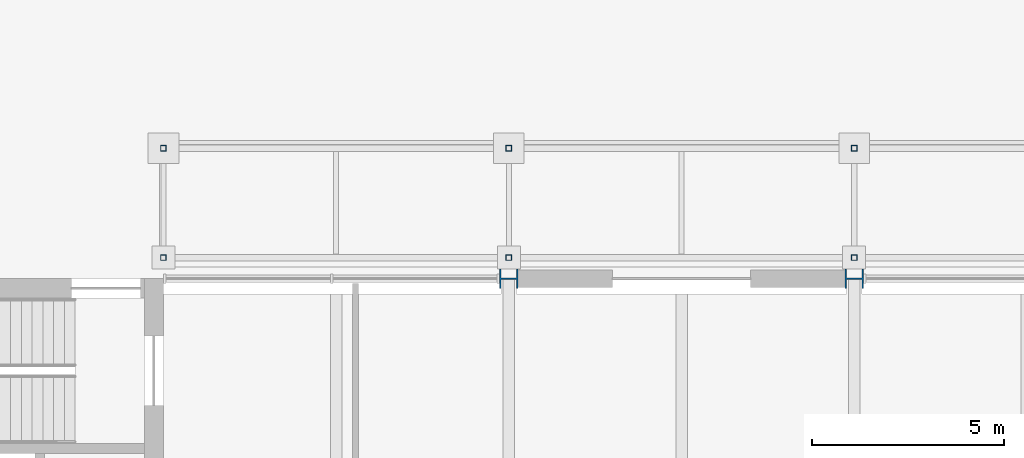
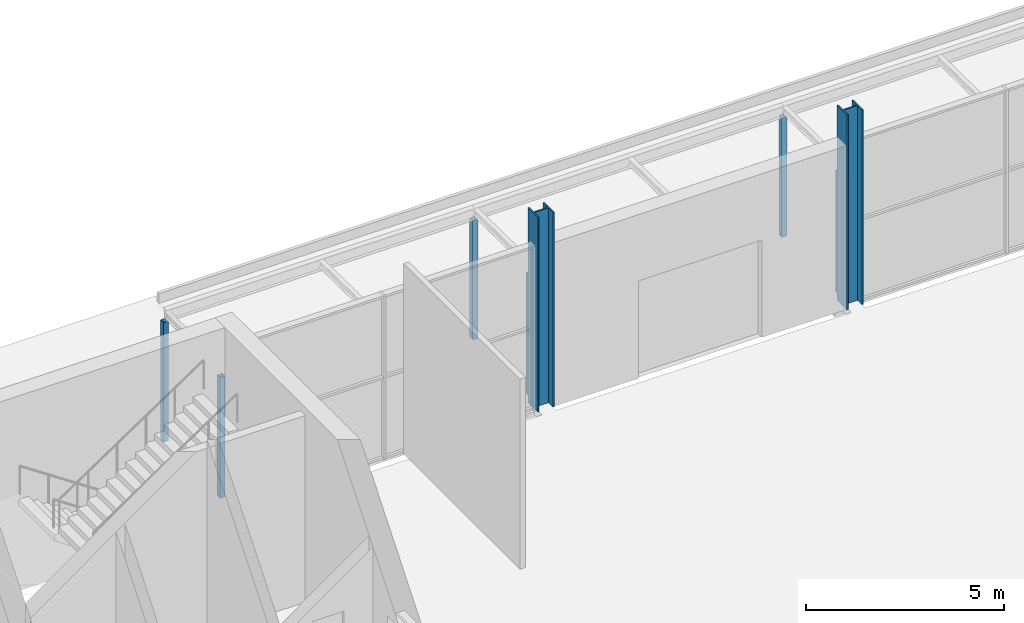
# One storey, part 16 of 97: 8 columns.
"""IFC4 building model written with IfcOpenShell, lengths in metres."""

from ifc_helpers import new_model, si_unit, direction, frame, origin, origin_2d, place, context, subcontext, project, spatial, hollow_rectangle, i_section, extrude, material, material_profile, profile_set, type_object, element, save


model = new_model("IFC4")

# Units and contexts
model_context = context("Model", 3, precision=1e-05, world=origin(), true_north=direction((0.0, 1.0)))
body_context = subcontext(model_context, "Body", "Model", "MODEL_VIEW")
ifc_project = project(units=[si_unit("LENGTHUNIT", "METRE"), si_unit("AREAUNIT", "SQUARE_METRE"), si_unit("VOLUMEUNIT", "CUBIC_METRE"), si_unit("PLANEANGLEUNIT", "RADIAN"), si_unit("MASSUNIT", "GRAM", prefix="KILO")], contexts=[model_context])

# Site, building, storey
site_placement = place(None, origin())
site = spatial("IfcSite", under=ifc_project, at=site_placement, CompositionType="ELEMENT")
building_placement = place(site_placement, origin())
building = spatial("IfcBuilding", under=site, at=building_placement, Name="Corbel Yard City Hall", CompositionType="ELEMENT")
storey_placement = place(building_placement, origin())
storey = spatial("IfcBuildingStorey", under=building, at=storey_placement, Name="L00", CompositionType="ELEMENT", Elevation=0.0)

# Columns
ifc_material_1 = material(Name="Steel Grade C450L0", Category="steel")
ifc_material_profile_1 = material_profile(ifc_material_1, hollow_rectangle(XDim=0.14990234375, YDim=0.14990234375, WallThickness=0.009033203125, at=origin_2d()), Name="150x150x9.0SHS")
ifc_profile_set_1 = profile_set([ifc_material_profile_1], Name="Steel Grade C450L0")
column_type_1 = type_object("IfcColumnType", Name="Awning Column 150x150x9.0SHS", PredefinedType="COLUMN", material=ifc_profile_set_1)
for number, where, z_axis, x_axis, name in (
    (1, (9.0, 117.550048828125, 0.0), (0.0, 0.0, 1.0), (1.0, 0.0, 0.0), "Awning Column B01"),
    (2, (18.0, 117.550048828125, 0.0), (0.0, 0.0, 1.0), (1.0, 0.0, 0.0), "Awning Column B02"),
    (3, (27.0, 117.550048828125, 0.0), (0.0, 0.0, 1.0), (1.0, 0.0, 0.0), "Awning Column B03"),
):
    element("IfcColumn", number, at=place(storey_placement, frame(where, z_axis=z_axis, x_axis=x_axis)), inside=storey, type_object=column_type_1, Name=name, PredefinedType="COLUMN", context=body_context, shape_type="SweptSolid", body=[
        extrude(hollow_rectangle(XDim=0.14990234375, YDim=0.14990234375, WallThickness=0.009033203125, at=origin_2d()), origin(), (0.0, 0.0, 1.0), 3.71484375),
    ])
for number, where, z_axis, x_axis, name in (
    (4, (9.0, 120.39990234375, 0.0), (0.0, 0.0, 1.0), (1.0, 0.0, 0.0), "Awning Column F01"),
    (5, (18.0, 120.39990234375, 0.0), (0.0, 0.0, 1.0), (1.0, 0.0, 0.0), "Awning Column F02"),
    (6, (27.0, 120.39990234375, 0.0), (0.0, 0.0, 1.0), (1.0, 0.0, 0.0), "Awning Column F03"),
):
    element("IfcColumn", number, at=place(storey_placement, frame(where, z_axis=z_axis, x_axis=x_axis)), inside=storey, type_object=column_type_1, Name=name, PredefinedType="COLUMN", context=body_context, shape_type="SweptSolid", body=[
        extrude(hollow_rectangle(XDim=0.14990234375, YDim=0.14990234375, WallThickness=0.009033203125, at=origin_2d()), origin(), (0.0, 0.0, 1.0), 3.67919921875),
    ])
ifc_material_2 = material(Name="Steel Grade 350", Category="steel")
ifc_material_profile_2 = material_profile(ifc_material_2, i_section(OverallWidth=0.5, OverallDepth=0.47998046875, WebThickness=0.0400390625, FlangeThickness=0.0400390625, at=origin_2d()), Name="500WC440")
ifc_profile_set_2 = profile_set([ifc_material_profile_2], Name="Steel Grade 350")
column_type_2 = type_object("IfcColumnType", Name="Column 500WC440", PredefinedType="COLUMN", material=ifc_profile_set_2)
for number, where, z_axis, x_axis, name in (
    (7, (18.0, 117.0, 0.0), (0.0, 0.0, 1.0), (0.0, 1.0, 0.0), "Column 500WC440 N/3 L00"),
    (8, (27.0, 117.0, 0.0), (0.0, 0.0, 1.0), (0.0, 1.0, 0.0), "Column 500WC440 N/4 L00"),
):
    element("IfcColumn", number, at=place(storey_placement, frame(where, z_axis=z_axis, x_axis=x_axis)), inside=storey, type_object=column_type_2, Name=name, PredefinedType="COLUMN", context=body_context, shape_type="SweptSolid", body=[
        extrude(i_section(OverallWidth=0.5, OverallDepth=0.47998046875, WebThickness=0.0400390625, FlangeThickness=0.0400390625, at=origin_2d()), origin(), (0.0, 0.0, 1.0), 6.0),
    ])

save(model, "model.ifc")
